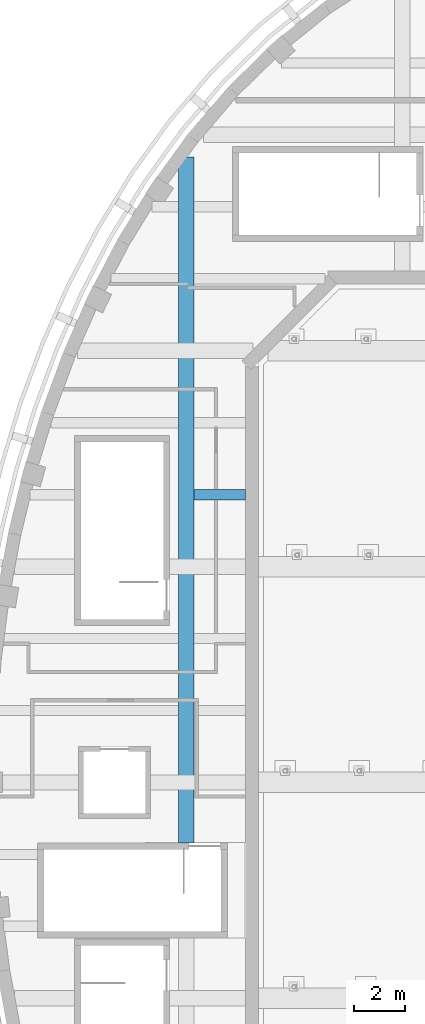
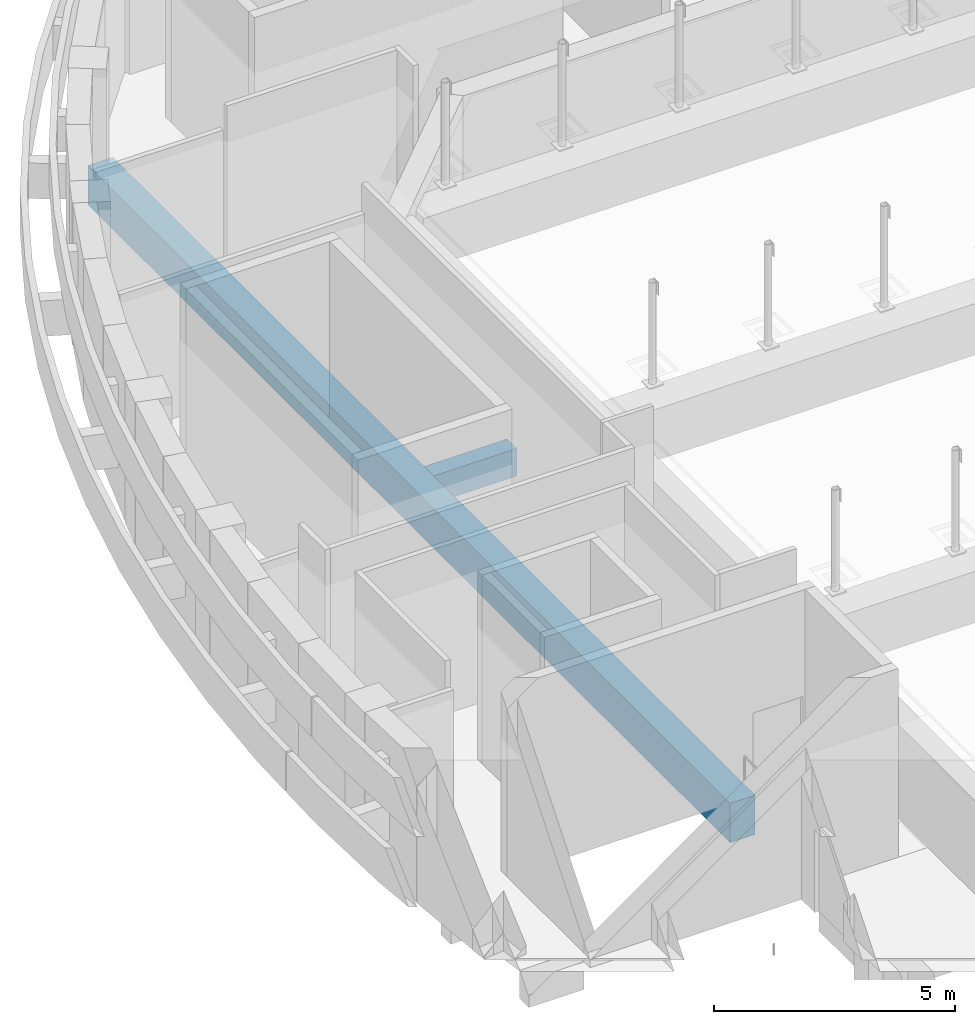
# One storey, part 9 of 47: 2 beams.
"""IFC4 building model written with IfcOpenShell, lengths in metres."""

from ifc_helpers import new_model, si_unit, direction, frame, origin, origin_2d, place, context, subcontext, project, spatial, rectangle, extrude, material, material_profile, profile_set, type_object, element, save


model = new_model("IFC4")

# Units and contexts
model_context = context("Model", 3, precision=1e-05, world=origin(), true_north=direction((0.0, 1.0)))
body_context = subcontext(model_context, "Body", "Model", "MODEL_VIEW")
ifc_project = project(units=[si_unit("LENGTHUNIT", "METRE"), si_unit("AREAUNIT", "SQUARE_METRE"), si_unit("VOLUMEUNIT", "CUBIC_METRE"), si_unit("PLANEANGLEUNIT", "RADIAN"), si_unit("MASSUNIT", "GRAM", prefix="KILO")], contexts=[model_context])

# Site, building, storey
site_placement = place(None, origin())
site = spatial("IfcSite", under=ifc_project, at=site_placement, CompositionType="ELEMENT")
building_placement = place(site_placement, origin())
building = spatial("IfcBuilding", under=site, at=building_placement, Name="Larchfold Concert Hall", CompositionType="ELEMENT")
storey_placement = place(building_placement, frame((0.0, 0.0, 24.0)))
storey = spatial("IfcBuildingStorey", under=building, at=storey_placement, Name="L05", CompositionType="ELEMENT", Elevation=24.0)

# Beams
ifc_material_1 = material(Name="Concrete C35/45", Category="concrete")
ifc_material_profile_1 = material_profile(ifc_material_1, rectangle(XDim=0.39990234375, YDim=0.699951171875, at=origin_2d()))
ifc_profile_set_1 = profile_set([ifc_material_profile_1], Name="Concrete C35/45")
beam_type_1 = type_object("IfcBeamType", Name="Beam RC 400x700", PredefinedType="BEAM", material=ifc_profile_set_1)
beam_1_placement = place(storey_placement, frame((26.10009765625, 95.800048828125, -0.550048828125), z_axis=(1.0, 0.0, 0.0), x_axis=(0.0, 1.0, 0.0)))
element("IfcBeam", 1, at=beam_1_placement, inside=storey, type_object=beam_type_1, Name="Beam B1577", PredefinedType="BEAM", context=body_context, shape_type="SweptSolid", body=[
    extrude(rectangle(XDim=0.39990234375, YDim=0.699951171875, at=origin_2d()), origin(), (0.0, 0.0, 1.0), 1.989990234375),
])
ifc_material_2 = material(Name="Concrete C35/45", Category="concrete")
ifc_material_profile_2 = material_profile(ifc_material_2, rectangle(XDim=0.60009765625, YDim=1.0, at=origin_2d()))
ifc_profile_set_2 = profile_set([ifc_material_profile_2], Name="Concrete C35/45")
beam_type_2 = type_object("IfcBeamType", Name="Beam RC 600x1000", PredefinedType="BEAM", material=ifc_profile_set_2)
beam_2_placement = place(storey_placement, frame((25.800048828125, 82.25, -0.699951171875), z_axis=(0.0, 1.0, 0.0), x_axis=(-1.0, 0.0, 0.0)))
element("IfcBeam", 2, at=beam_2_placement, inside=storey, type_object=beam_type_2, Name="Beam B1523", PredefinedType="BEAM", context=body_context, shape_type="SweptSolid", body=[
    extrude(rectangle(XDim=0.60009765625, YDim=1.0, at=origin_2d()), origin(), (0.0, 0.0, 1.0), 26.682861328125),
])

save(model, "model.ifc")
